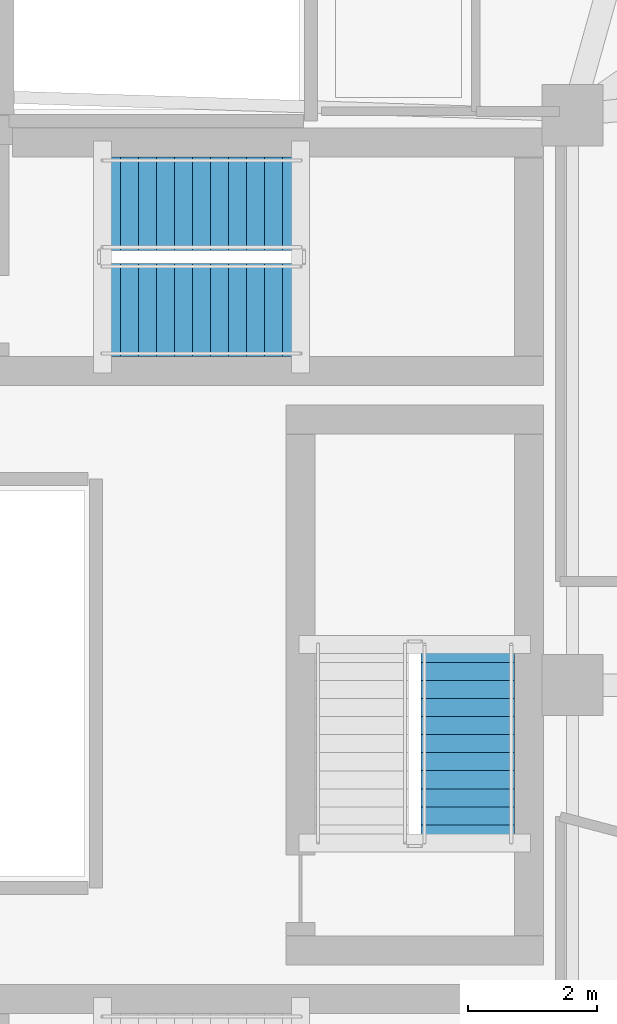
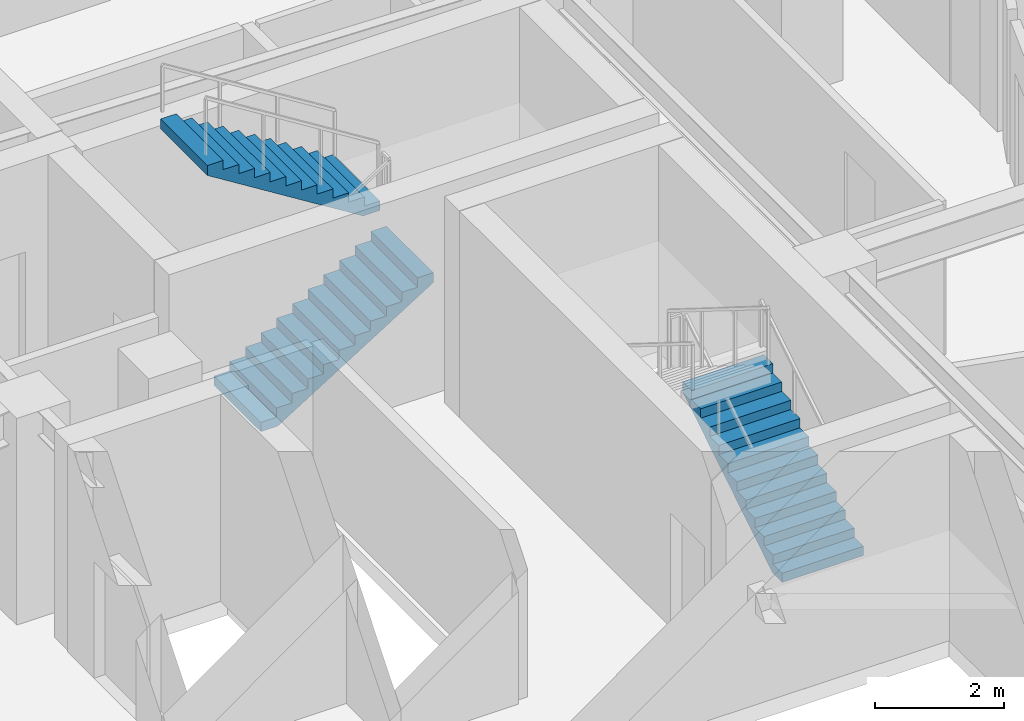
# One storey, part 12 of 15: 3 stair flights, 2 elements without a shape of their own.
"""IFC4 building model written with IfcOpenShell, lengths in metres."""

from ifc_helpers import new_model, si_unit, direction, frame, origin, place, context, subcontext, project, spatial, polyline, outline, extrude, material, type_object, element, aggregate, save


model = new_model("IFC4")

# Units and contexts
model_context = context("Model", 3, precision=1e-05, world=origin(), true_north=direction((0.0, 1.0)))
body_context = subcontext(model_context, "Body", "Model", "MODEL_VIEW")
ifc_project = project(units=[si_unit("LENGTHUNIT", "METRE"), si_unit("AREAUNIT", "SQUARE_METRE"), si_unit("VOLUMEUNIT", "CUBIC_METRE"), si_unit("PLANEANGLEUNIT", "RADIAN"), si_unit("MASSUNIT", "GRAM", prefix="KILO")], contexts=[model_context])

# Site, building, storey
site_placement = place(None, origin())
site = spatial("IfcSite", under=ifc_project, at=site_placement, CompositionType="ELEMENT")
building_placement = place(site_placement, origin())
building = spatial("IfcBuilding", under=site, at=building_placement, Name="Korentha Bioscience Tower", CompositionType="ELEMENT")
storey_placement = place(building_placement, frame((0.0, 0.0, 111.0)))
storey = spatial("IfcBuildingStorey", under=building, at=storey_placement, Name="L25", CompositionType="ELEMENT", Elevation=111.0)

# Stair, stair flights
ifc_material = material(Name="Precast Concrete C50", Category="concrete")
stair_type = type_object("IfcStairType", Name="Core Exit Dog-Leg Stair 1450", PredefinedType="HALF_TURN_STAIR", material=ifc_material)
stair_1_placement = place(storey_placement, origin())
stair_1 = element("IfcStair", 1, at=stair_1_placement, inside=storey, type_object=stair_type, Name="L25 Tower North Pressurized Exit Stair ST-1", PredefinedType="HALF_TURN_STAIR")
stair_flight_type = type_object("IfcStairFlightType", Name="Core Exit Dog-Leg Stair 1450 Flight", PredefinedType="STRAIGHT", material=ifc_material)
stair_flight_1_placement = place(storey_placement, frame((30.25, 32.824951171875, 0.0), z_axis=(0.0, 0.0, 1.0), x_axis=(1.0, 0.0, 0.0)))
stair_flight_1 = element("IfcStairFlight", 2, at=stair_flight_1_placement, type_object=stair_flight_type, Name="ST-1 flight 1", NumberOfRisers=12, NumberOfTreads=11, PredefinedType="STRAIGHT", RiserHeight=0.175, TreadLength=0.28, context=body_context, shape_type="SweptSolid", body=[
    extrude(outline(polyline([(0.0, 0.0), (0.0, 0.175048828125), (0.280029296875, 0.175048828125), (0.280029296875, 0.35009765625), (0.56005859375, 0.35009765625), (0.56005859375, 0.52490234375), (0.840087890625, 0.52490234375), (0.840087890625, 0.699951171875), (1.1201171875, 0.699951171875), (1.1201171875, 0.875), (1.39990234375, 0.875), (1.39990234375, 1.050048828125), (1.679931640625, 1.050048828125), (1.679931640625, 1.22509765625), (1.9599609375, 1.22509765625), (1.9599609375, 1.39990234375), (2.239990234375, 1.39990234375), (2.239990234375, 1.574951171875), (2.52001953125, 1.574951171875), (2.52001953125, 1.75), (2.800048828125, 1.75), (2.800048828125, 1.925048828125), (3.080078125, 1.925048828125), (3.080078125, 2.10009765625), (3.080078125, 1.736328125), (0.3017578125, 0.0), (0.0, 0.0)])), frame((0.0, 0.72509765625, 0.0), z_axis=(0.0, -1.0, 0.0), x_axis=(1.0, 0.0, 0.0)), (0.0, 0.0, 1.0), 1.449951171875),
])
stair_flight_2_placement = place(storey_placement, frame((33.330078125, 34.47509765625, 2.10009765625), z_axis=(0.0, 0.0, 1.0), x_axis=(-1.0, 0.0, 0.0)))
stair_flight_2 = element("IfcStairFlight", 3, at=stair_flight_2_placement, type_object=stair_flight_type, Name="ST-1 flight 2", NumberOfRisers=12, NumberOfTreads=11, PredefinedType="STRAIGHT", RiserHeight=0.175, TreadLength=0.28, context=body_context, shape_type="SweptSolid", body=[
    extrude(outline(polyline([(0.0, 0.0), (0.0, 0.175048828125), (0.280029296875, 0.175048828125), (0.280029296875, 0.35009765625), (0.56005859375, 0.35009765625), (0.56005859375, 0.52490234375), (0.840087890625, 0.52490234375), (0.840087890625, 0.699951171875), (1.1201171875, 0.699951171875), (1.1201171875, 0.875), (1.39990234375, 0.875), (1.39990234375, 1.050048828125), (1.679931640625, 1.050048828125), (1.679931640625, 1.22509765625), (1.9599609375, 1.22509765625), (1.9599609375, 1.39990234375), (2.239990234375, 1.39990234375), (2.239990234375, 1.574951171875), (2.52001953125, 1.574951171875), (2.52001953125, 1.75), (2.800048828125, 1.75), (2.800048828125, 1.925048828125), (3.080078125, 1.925048828125), (3.080078125, 2.10009765625), (3.080078125, 1.736328125), (0.3017578125, 0.0), (0.0, 0.0)])), frame((0.0, 0.72509765625, 0.0), z_axis=(0.0, -1.0, 0.0), x_axis=(1.0, 0.0, 0.0)), (0.0, 0.0, 1.0), 1.449951171875),
])
aggregate(stair_1, [stair_flight_1, stair_flight_2])

# Stair, stair flight
stair_2_placement = place(storey_placement, origin())
stair_2 = element("IfcStair", 4, at=stair_2_placement, inside=storey, type_object=stair_type, Name="L25 Tower Central Pressurized Exit Stair ST-3", PredefinedType="HALF_TURN_STAIR")
stair_flight_3_placement = place(storey_placement, frame((35.925048828125, 24.550048828125, 0.0), z_axis=(0.0, 0.0, 1.0), x_axis=(0.0, 1.0, 0.0)))
stair_flight_3 = element("IfcStairFlight", 5, at=stair_flight_3_placement, type_object=stair_flight_type, Name="ST-3 flight 1", NumberOfRisers=12, NumberOfTreads=11, PredefinedType="STRAIGHT", RiserHeight=0.175, TreadLength=0.28, context=body_context, shape_type="SweptSolid", body=[
    extrude(outline(polyline([(0.0, 0.0), (0.0, 0.175048828125), (0.280029296875, 0.175048828125), (0.280029296875, 0.35009765625), (0.56005859375, 0.35009765625), (0.56005859375, 0.52490234375), (0.840087890625, 0.52490234375), (0.840087890625, 0.699951171875), (1.1201171875, 0.699951171875), (1.1201171875, 0.875), (1.39990234375, 0.875), (1.39990234375, 1.050048828125), (1.679931640625, 1.050048828125), (1.679931640625, 1.22509765625), (1.9599609375, 1.22509765625), (1.9599609375, 1.39990234375), (2.239990234375, 1.39990234375), (2.239990234375, 1.574951171875), (2.52001953125, 1.574951171875), (2.52001953125, 1.75), (2.800048828125, 1.75), (2.800048828125, 1.925048828125), (3.080078125, 1.925048828125), (3.080078125, 2.10009765625), (3.080078125, 1.736328125), (0.3017578125, 0.0), (0.0, 0.0)])), frame((0.0, 0.72509765625, 0.0), z_axis=(0.0, -1.0, 0.0), x_axis=(1.0, 0.0, 0.0)), (0.0, 0.0, 1.0), 1.449951171875),
])
aggregate(stair_2, [stair_flight_3])

save(model, "model.ifc")
